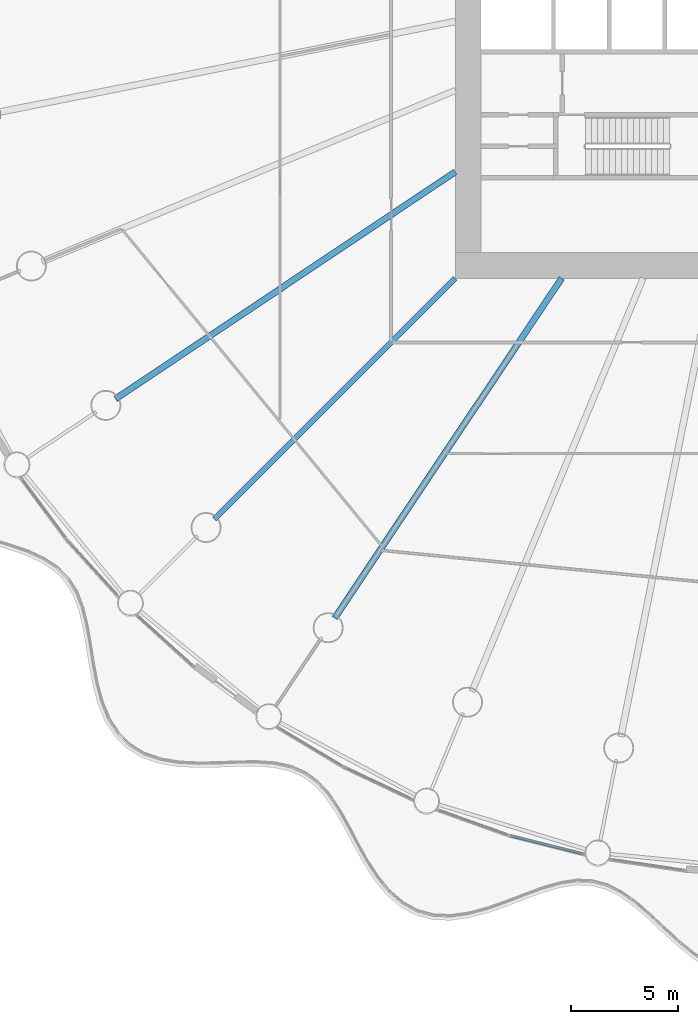
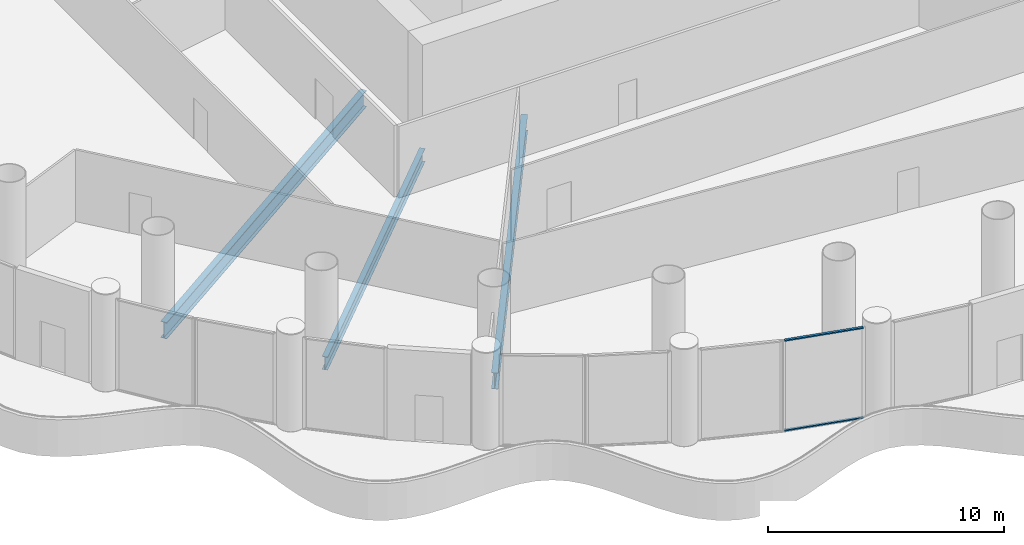
# One storey, part 4 of 38: 3 beams, 2 members, 1 element without a shape of its own.
"""IFC4 building model written with IfcOpenShell, lengths in metres."""

from ifc_helpers import new_model, si_unit, direction, frame, origin, origin_2d, place, context, subcontext, project, spatial, rectangle, i_section, extrude, material, material_profile, profile_set, type_object, element, aggregate, save


model = new_model("IFC4")

# Units and contexts
model_context = context("Model", 3, precision=1e-05, world=origin(), true_north=direction((0.0, 1.0)))
body_context = subcontext(model_context, "Body", "Model", "MODEL_VIEW")
ifc_project = project(units=[si_unit("LENGTHUNIT", "METRE"), si_unit("AREAUNIT", "SQUARE_METRE"), si_unit("VOLUMEUNIT", "CUBIC_METRE"), si_unit("PLANEANGLEUNIT", "RADIAN"), si_unit("MASSUNIT", "GRAM", prefix="KILO")], contexts=[model_context])

# Site, building, storey
site_placement = place(None, origin())
site = spatial("IfcSite", under=ifc_project, at=site_placement, CompositionType="ELEMENT")
building_placement = place(site_placement, origin())
building = spatial("IfcBuilding", under=site, at=building_placement, Name="Corvane Civic Tower", CompositionType="ELEMENT")
storey_placement = place(building_placement, frame((0.0, 0.0, 32.0)))
storey = spatial("IfcBuildingStorey", under=building, at=storey_placement, Name="L06", CompositionType="ELEMENT", Elevation=32.0)

# Beams
ifc_material_1 = material(Name="Steel ASTM A992 Gr 50", Category="steel")
ifc_material_profile_1 = material_profile(ifc_material_1, i_section(OverallWidth=0.25390625, OverallDepth=0.67822265625, WebThickness=0.01171875, FlangeThickness=0.016357421875, at=origin_2d()), Name="W27X84")
ifc_profile_set_1 = profile_set([ifc_material_profile_1], Name="Steel ASTM A992 Gr 50")
beam_type_1 = type_object("IfcBeamType", Name="FLOOR GIRDER W27X84", PredefinedType="BEAM", material=ifc_profile_set_1)
beam_placement = place(storey_placement, frame((-15.0, -15.0, -0.63916015625), z_axis=(-0.707106781187, -0.707106781187, 0.0), x_axis=(0.707106781187, -0.707106781187, 0.0)))
element("IfcBeam", 1, at=beam_placement, inside=storey, type_object=beam_type_1, Name="BM-L06-G21", PredefinedType="BEAM", context=body_context, shape_type="SweptSolid", body=[
    extrude(i_section(OverallWidth=0.25390625, OverallDepth=0.67822265625, WebThickness=0.01171875, FlangeThickness=0.016357421875, at=origin_2d()), origin(), (0.0, 0.0, 1.0), 15.936767578125),
])
ifc_material_2 = material(Name="Steel ASTM A992 Gr 50", Category="steel")
ifc_material_profile_2 = material_profile(ifc_material_2, i_section(OverallWidth=0.2919921875, OverallDepth=0.845703125, WebThickness=0.015380859375, FlangeThickness=0.0244140625, at=origin_2d()), Name="W33X141")
ifc_profile_set_2 = profile_set([ifc_material_profile_2], Name="Steel ASTM A992 Gr 50")
beam_type_2 = type_object("IfcBeamType", Name="FLOOR GIRDER W33X141", PredefinedType="BEAM", material=ifc_profile_set_2)
for number, where, z_axis, x_axis, name in (
    (2, (-10.022705078125, -15.0, -0.722900390625), (-0.555566681385, -0.831471985418, 0.0), (0.831471985418, -0.555566681385, 0.0), "BM-L06-G20"),
    (3, (-15.0, -10.022705078125, -0.722900390625), (-0.831471985418, -0.555566681385, 0.0), (0.555566681385, -0.831471985418, 0.0), "BM-L06-G22"),
):
    element("IfcBeam", number, at=place(storey_placement, frame(where, z_axis=z_axis, x_axis=x_axis)), inside=storey, type_object=beam_type_2, Name=name, PredefinedType="BEAM", context=body_context, shape_type="SweptSolid", body=[
        extrude(i_section(OverallWidth=0.2919921875, OverallDepth=0.845703125, WebThickness=0.015380859375, FlangeThickness=0.0244140625, at=origin_2d()), origin(), (0.0, 0.0, 1.0), 19.109619140625),
    ])

# Curtain wall, members
ifc_material_3 = material(Name="Aluminium and glass", Category="aluminium")
curtain_wall_type = type_object("IfcCurtainWallType", Name="PODIUM-CW-P-RUN", PredefinedType="NOTDEFINED", material=ifc_material_3)
curtain_wall_placement = place(storey_placement, origin())
curtain_wall = element("IfcCurtainWall", 4, at=curtain_wall_placement, inside=storey, type_object=curtain_wall_type, Name="PODI run L06-drum-18A", PredefinedType="NOTDEFINED")
ifc_material_4 = material(Name="Anodised aluminium bronze", Category="aluminium")
ifc_material_profile_3 = material_profile(ifc_material_4, rectangle(XDim=0.1201171875, YDim=0.06005859375, at=origin_2d()), Name="AL 120x60")
ifc_profile_set_3 = profile_set([ifc_material_profile_3], Name="Anodised aluminium bronze")
member_type = type_object("IfcMemberType", Name="PODIUM-CWP-TRANSOM-60x120", PredefinedType="USERDEFINED", material=ifc_profile_set_3)
member_1_placement = place(storey_placement, frame((-9.026611328125, -41.92138671875, 0.030029296875), z_axis=(-0.970022009425, 0.243017080124, 0.0), x_axis=(-0.243017080124, -0.970022009425, 0.0)))
member_1 = element("IfcMember", 5, at=member_1_placement, type_object=member_type, Name="CW-P transom 1.1", ObjectType="TRANSOM", PredefinedType="USERDEFINED", context=body_context, shape_type="SweptSolid", body=[
    extrude(rectangle(XDim=0.1201171875, YDim=0.06005859375, at=origin_2d()), origin(), (0.0, 0.0, 1.0), 3.4599609375),
])
member_2_placement = place(storey_placement, frame((-9.026611328125, -41.92138671875, 4.669921875), z_axis=(-0.970022009425, 0.243017080124, 0.0), x_axis=(-0.243017080124, -0.970022009425, 0.0)))
member_2 = element("IfcMember", 6, at=member_2_placement, type_object=member_type, Name="CW-P transom 1.2", ObjectType="TRANSOM", PredefinedType="USERDEFINED", context=body_context, shape_type="SweptSolid", body=[
    extrude(rectangle(XDim=0.1201171875, YDim=0.06005859375, at=origin_2d()), origin(), (0.0, 0.0, 1.0), 3.4599609375),
])
aggregate(curtain_wall, [member_1, member_2])

save(model, "model.ifc")
